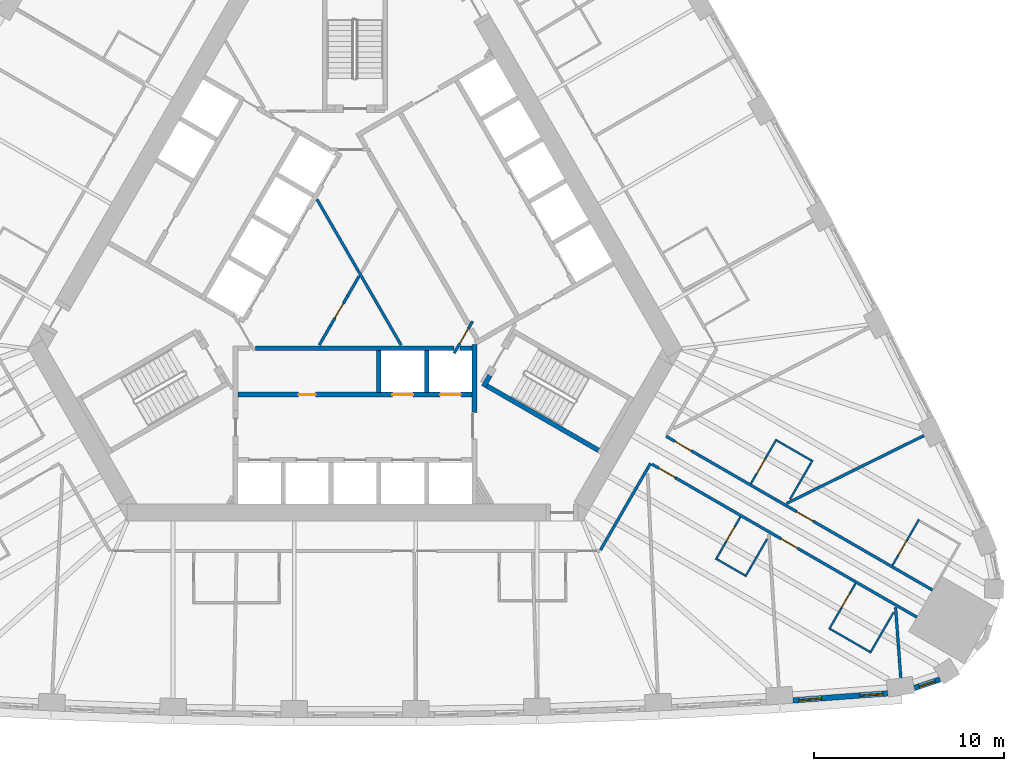
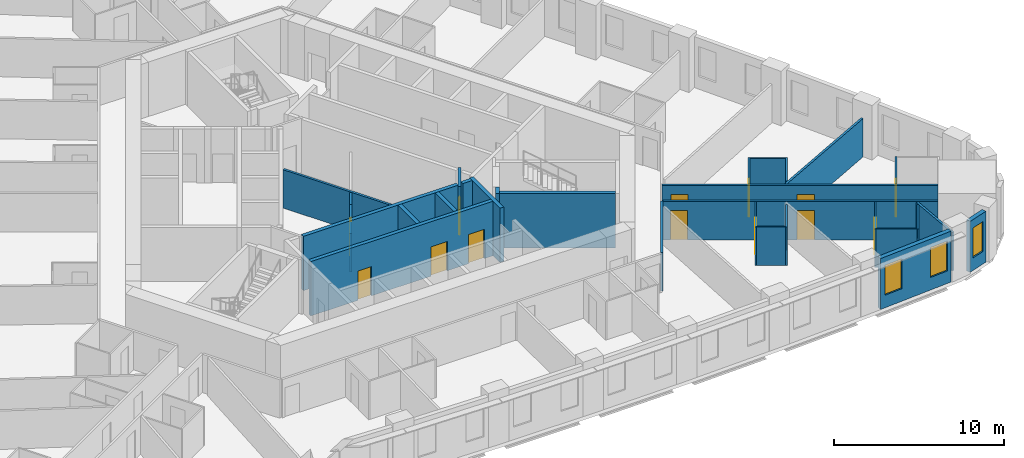
# One storey, part 7 of 13: 30 walls, 13 doors, 3 windows, 16 openings.
"""IFC4 building model written with IfcOpenShell, lengths in metres."""

import ifcopenshell
import ifcopenshell.guid

model = None  # the IFC model being written
_history = None  # IfcOwnerHistory: only IFC2X3 demands one
_inside = {}  # id of a spatial element -> (the spatial element, [elements in it])
_under = {}  # id of a project, library or spatial element -> (it, [spatial elements below it])
_declared = {}  # id of a project -> (the project, [libraries it declares])
_typed = {}  # id of a type object -> (the type object, [elements of that type])
_made_of = {}  # id of a material, layer set ... -> (it, [elements and type objects made of it])


def new_model(schema):
    """Start an empty IFC model of exactly this schema.

    Asked for "IFC4X3", IfcOpenShell would pick the latest addendum, in which some entities
    have other attributes; the version numbers below select the first issue.
    IFC2X3 requires an IfcOwnerHistory on every rooted entity: one is made here for all.
    """
    global model, _history
    if schema == "IFC4X3":
        model = ifcopenshell.file(schema_version=(4, 3, 0, 0))
    else:
        model = ifcopenshell.file(schema=schema)
    _inside.clear()
    _under.clear()
    _declared.clear()
    _typed.clear()
    _made_of.clear()
    _history = None
    if model.schema == "IFC2X3":
        org = make("IfcOrganization", Name="unknown")
        user = make(
            "IfcPersonAndOrganization",
            ThePerson=make("IfcPerson", FamilyName="unknown"),
            TheOrganization=org,
        )
        app = make(
            "IfcApplication",
            ApplicationDeveloper=org,
            Version="unknown",
            ApplicationFullName="unknown",
            ApplicationIdentifier="unknown",
        )
        _history = make(
            "IfcOwnerHistory",
            OwningUser=user,
            OwningApplication=app,
            ChangeAction="ADDED",
            CreationDate=0,
        )
    return model


def make(cls, **values):
    """One entity of the class cls with the attributes given. An attribute that is None is left unset."""
    return model.create_entity(
        cls, **{name: value for name, value in values.items() if value is not None}
    )


def rooted(cls, **values):
    """An entity with a GlobalId (a new one), such as an element, a storey or a relation."""
    return make(cls, GlobalId=ifcopenshell.guid.new(), OwnerHistory=_history, **values)


def si_unit(unit_type, name, prefix=None):
    """IfcSIUnit, for example si_unit("LENGTHUNIT", "METRE", prefix="MILLI")."""
    return make("IfcSIUnit", UnitType=unit_type, Prefix=prefix, Name=name)


def assignment(units):
    """IfcUnitAssignment: the units of a project."""
    return None if units is None else make("IfcUnitAssignment", Units=units)


def point(xyz):
    """IfcCartesianPoint."""
    return None if xyz is None else make("IfcCartesianPoint", Coordinates=xyz)


def direction(xyz):
    """IfcDirection."""
    return None if xyz is None else make("IfcDirection", DirectionRatios=xyz)


def frame(location, z_axis=None, x_axis=None):
    """IfcAxis2Placement3D, a coordinate frame: its origin and axes. An axis left out is left unset."""
    return make(
        "IfcAxis2Placement3D",
        Location=point(location),
        Axis=direction(z_axis),
        RefDirection=direction(x_axis),
    )


def frame_2d(location, x_axis=None):
    """IfcAxis2Placement2D, a coordinate frame in the plane: its origin and x axis."""
    return make(
        "IfcAxis2Placement2D", Location=point(location), RefDirection=direction(x_axis)
    )


def origin():
    """The frame at (0, 0, 0) with its axes left unset."""
    return frame((0.0, 0.0, 0.0))


def place(relative_to, where):
    """IfcLocalPlacement: puts the frame where relative to a parent placement (None: the world)."""
    return make(
        "IfcLocalPlacement", PlacementRelTo=relative_to, RelativePlacement=where
    )


def context(
    kind, dimensions, precision=None, world=None, true_north=None, identifier=None
):
    """IfcGeometricRepresentationContext, for example the 3D "Model" context."""
    return make(
        "IfcGeometricRepresentationContext",
        ContextIdentifier=identifier,
        ContextType=kind,
        CoordinateSpaceDimension=dimensions,
        Precision=precision,
        WorldCoordinateSystem=world,
        TrueNorth=true_north,
    )


def subcontext(parent, identifier, kind, view, scale=None):
    """IfcGeometricRepresentationSubContext, for example "Body" below "Model"."""
    return make(
        "IfcGeometricRepresentationSubContext",
        ContextIdentifier=identifier,
        ContextType=kind,
        ParentContext=parent,
        TargetScale=scale,
        TargetView=view,
    )


def project(units=None, contexts=None):
    """IfcProject with its units and contexts."""
    return rooted(
        "IfcProject",
        Name="project",
        RepresentationContexts=contexts,
        UnitsInContext=assignment(units),
    )


def spatial(cls, under=None, at=None, **own):
    """A site, building, storey or space (cls), placed at a placement, below another one or the project."""
    s = rooted(cls, ObjectPlacement=at, **own)
    if under is not None:
        _under.setdefault(under.id(), (under, []))[1].append(s)
    return s


def profile(cls, at=None, kind="AREA", **sizes):
    """A parametric profile (cls). Its sizes go by their IFC names, for example OverallWidth=200.0."""
    return make(cls, ProfileType=kind, Position=at, **sizes)


def rectangle(**sizes):
    """IfcRectangleProfileDef."""
    return profile("IfcRectangleProfileDef", **sizes)


def extrude(swept, where, along, depth):
    """IfcExtrudedAreaSolid: the profile swept, set in the frame where, extruded along a direction by depth."""
    return make(
        "IfcExtrudedAreaSolid",
        SweptArea=swept,
        Position=where,
        ExtrudedDirection=direction(along),
        Depth=depth,
    )


def shape(context_of_items, identifier, shape_type, items):
    """IfcShapeRepresentation: the items that make up one representation, for example the "Body"."""
    return make(
        "IfcShapeRepresentation",
        ContextOfItems=context_of_items,
        RepresentationIdentifier=identifier,
        RepresentationType=shape_type,
        Items=items,
    )


def material(Name=None, Category=None):
    """IfcMaterial."""
    return make("IfcMaterial", Name=Name, Category=Category)


def layer(
    of_material, thickness, ventilated=None, Name=None, Category=None, Priority=None
):
    """IfcMaterialLayer: one layer of a wall or slab, of a material (None: an air gap)."""
    return make(
        "IfcMaterialLayer",
        Material=of_material,
        LayerThickness=thickness,
        IsVentilated=ventilated,
        Name=Name,
        Category=Category,
        Priority=Priority,
    )


def layer_set(layers, Name=None):
    """IfcMaterialLayerSet."""
    return make("IfcMaterialLayerSet", MaterialLayers=layers, LayerSetName=Name)


def made_of(thing, what):
    """Note that an element or type object is made of a material, layer set ...; save() writes the relation."""
    if what is not None:
        _made_of.setdefault(what.id(), (what, []))[1].append(thing)
    return thing


def type_object(cls, material=None, **own):
    """A type object (cls), such as IfcWallType, which elements share."""
    return made_of(rooted(cls, **own), material)


def element(
    cls,
    number,
    at=None,
    inside=None,
    cuts=None,
    type_object=None,
    material=None,
    context=None,
    identifier="Body",
    shape_type=None,
    held_by="IfcProductDefinitionShape",
    body=None,
    shapes=None,
    **own,
):
    """One element of the class cls, such as IfcWall. Its Tag is "e" and its number.

    at: its placement. inside: the storey or other place that contains it. cuts: it is an
    opening in that element (IfcRelVoidsElement). A single representation is given by context,
    identifier, shape_type and body (its items); several are given by shapes. held_by: the class
    of the entity that holds the representations. save() writes the other relations.
    """
    e = rooted(cls, Tag="e%d" % number, ObjectPlacement=at, **own)
    if body is not None:
        shapes = [shape(context, identifier, shape_type, body)]
    if shapes is not None:
        e.Representation = make(held_by, Representations=shapes)
    if inside is not None:
        _inside.setdefault(inside.id(), (inside, []))[1].append(e)
    if cuts is not None:
        rooted(
            "IfcRelVoidsElement", RelatingBuildingElement=cuts, RelatedOpeningElement=e
        )
    if type_object is not None:
        _typed.setdefault(type_object.id(), (type_object, []))[1].append(e)
    return made_of(e, material)


def fill(opening, filler):
    """IfcRelFillsElement: the door or window that sits in an opening."""
    return rooted(
        "IfcRelFillsElement",
        RelatingOpeningElement=opening,
        RelatedBuildingElement=filler,
    )


def aggregate(whole, parts):
    """IfcRelAggregates: a whole, such as a stair, and the parts it consists of."""
    return rooted("IfcRelAggregates", RelatingObject=whole, RelatedObjects=parts)


def save(model, path):
    """Write the relations noted so far, then the file.

    IfcRelAggregates (storeys below a building ...), IfcRelContainedInSpatialStructure (elements
    in a storey), IfcRelDefinesByType, IfcRelAssociatesMaterial and IfcRelDeclares: one each for
    every whole, place, type object, material and project.
    """
    for whole, parts in _under.values():
        aggregate(whole, parts)
    for where, things in _inside.values():
        rooted(
            "IfcRelContainedInSpatialStructure",
            RelatedElements=things,
            RelatingStructure=where,
        )
    for kind, things in _typed.values():
        rooted("IfcRelDefinesByType", RelatedObjects=things, RelatingType=kind)
    for what, things in _made_of.values():
        rooted("IfcRelAssociatesMaterial", RelatedObjects=things, RelatingMaterial=what)
    for by, libraries in _declared.values():
        rooted("IfcRelDeclares", RelatingContext=by, RelatedDefinitions=libraries)
    model.write(path)


model = new_model("IFC4")

# Units and contexts
model_context = context("Model", 3, precision=1e-05, world=origin(), true_north=direction((0.0, 1.0)))
body_context = subcontext(model_context, "Body", "Model", "MODEL_VIEW")
ifc_project = project(units=[si_unit("LENGTHUNIT", "METRE"), si_unit("AREAUNIT", "SQUARE_METRE"), si_unit("VOLUMEUNIT", "CUBIC_METRE"), si_unit("PLANEANGLEUNIT", "RADIAN"), si_unit("MASSUNIT", "GRAM", prefix="KILO")], contexts=[model_context])

# Site, building, storey
site_placement = place(None, origin())
site = spatial("IfcSite", under=ifc_project, at=site_placement, CompositionType="ELEMENT")
building_placement = place(site_placement, origin())
building = spatial("IfcBuilding", under=site, at=building_placement, Name="Mestral Congress Tower", CompositionType="ELEMENT")
storey_placement = place(building_placement, frame((0.0, 0.0, 51.0)))
storey = spatial("IfcBuildingStorey", under=building, at=storey_placement, Name="L11", CompositionType="ELEMENT", Elevation=51.0)

# Walls
ifc_material_1 = material(Name="Fire-rated board partition")
ifc_layer_1 = layer(ifc_material_1, 0.14990234375)
ifc_layer_set_1 = layer_set([ifc_layer_1], Name="Fire-rated board partition")
wall_type_1 = type_object("IfcWallType", Name="Core partition 150", PredefinedType="PARTITIONING", material=ifc_layer_set_1)
wall_1_placement = place(storey_placement, frame((-1.886962890625, -3.71826171875, 0.0), z_axis=(0.0, 0.0, 1.0), x_axis=(0.500057179532, 0.865992388649, 0.0)))
element("IfcWall", 1, at=wall_1_placement, inside=storey, type_object=wall_type_1, Name="L11 core wall", PredefinedType="PARTITIONING", context=body_context, shape_type="SweptSolid", body=[
    extrude(rectangle(XDim=1.199462890625, YDim=0.14990234375, at=frame_2d((0.599609375, 0.0))), origin(), (0.0, 0.0, 1.0), 2.75),
])
wall_2_placement = place(storey_placement, frame((2.435302734375, -3.71826171875, 0.0), z_axis=(0.0, 0.0, 1.0), x_axis=(-0.499985176046, 0.866033962229, 0.0)))
element("IfcWall", 2, at=wall_2_placement, inside=storey, type_object=wall_type_1, Name="L11 core wall", PredefinedType="PARTITIONING", context=body_context, shape_type="SweptSolid", body=[
    extrude(rectangle(XDim=8.875244140625, YDim=0.14990234375, at=frame_2d((4.4375, 0.0))), origin(), (0.0, 0.0, 1.0), 2.75),
])
wall_3_placement = place(storey_placement, frame((-0.38720703125, -1.12060546875, 0.0), z_axis=(0.0, 0.0, 1.0), x_axis=(0.500057179532, 0.865992388649, 0.0)))
element("IfcWall", 3, at=wall_3_placement, inside=storey, type_object=wall_type_1, Name="L11 core wall", PredefinedType="PARTITIONING", context=body_context, shape_type="SweptSolid", body=[
    extrude(rectangle(XDim=1.199462890625, YDim=0.14990234375, at=frame_2d((0.599609375, 0.0))), origin(), (0.0, 0.0, 1.0), 2.75),
])

# Wall, opening, door
wall_4_placement = place(storey_placement, frame((-1.287109375, -2.679443359375, 0.0), z_axis=(0.0, 0.0, 1.0), x_axis=(0.499961193289, 0.866047807691, 0.0)))
wall_4 = element("IfcWall", 4, at=wall_4_placement, inside=storey, type_object=wall_type_1, Name="L11 door wall", PredefinedType="PARTITIONING", context=body_context, shape_type="SweptSolid", body=[
    extrude(rectangle(XDim=1.800048828125, YDim=0.14990234375, at=frame_2d((0.89990234375, 0.0))), origin(), (0.0, 0.0, 1.0), 2.75),
])
opening_1_placement = place(wall_4_placement, frame((0.449951171875, 0.0, 0.0)))
opening_1 = element("IfcOpeningElement", 5, at=opening_1_placement, cuts=wall_4, Name="Opening SD-HUB2", PredefinedType="OPENING", context=body_context, shape_type="SweptSolid", body=[
    extrude(rectangle(XDim=0.89990234375, YDim=2.10009765625, at=frame_2d((0.449951171875, 1.050048828125))), frame((0.0, 0.0849609375, 0.0), z_axis=(0.0, -1.0, 0.0), x_axis=(1.0, 0.0, 0.0)), (0.0, 0.0, 1.0), 0.169921875),
])
ifc_material_2 = material(Name="Fire-rated steel door set", Category="steel")
door_type_1 = type_object("IfcDoorType", Name="Core door SR 900x2100", OperationType="SINGLE_SWING_LEFT", PredefinedType="DOOR", material=ifc_material_2)
door_1_placement = place(opening_1_placement, origin())
door_1 = element("IfcDoor", 6, at=door_1_placement, inside=storey, type_object=door_type_1, Name="Door SD-HUB2", OperationType="SINGLE_SWING_LEFT", OverallHeight=2.10009765625, OverallWidth=0.89990234375, PredefinedType="DOOR", context=body_context, shape_type="SweptSolid", body=[
    extrude(rectangle(XDim=0.89990234375, YDim=2.10009765625, at=frame_2d((0.449951171875, 1.050048828125))), frame((0.0, 0.02490234375, 0.0), z_axis=(0.0, -1.0, 0.0), x_axis=(1.0, 0.0, 0.0)), (0.0, 0.0, 1.0), 0.050048828125),
])
fill(opening_1, door_1)

# Wall, openings, windows
ifc_material_3 = material(Name="Precast concrete C40/50 with limestone facing", Category="masonry")
ifc_layer_2 = layer(ifc_material_3, 0.2900390625)
ifc_layer_set_2 = layer_set([ifc_layer_2], Name="Precast concrete C40/50 with limestone facing")
wall_type_2 = type_object("IfcWallType", Name="Facade stone wall 290", PredefinedType="SOLIDWALL", material=ifc_layer_set_2)
wall_5_placement = place(storey_placement, frame((23.10595703125, -22.4560546875, 0.0), z_axis=(0.0, 0.0, 1.0), x_axis=(0.997266290399, 0.073891447643, 0.0)))
wall_5 = element("IfcWall", 7, at=wall_5_placement, inside=storey, type_object=wall_type_2, Name="Facade wall F0-08", PredefinedType="SOLIDWALL", context=body_context, shape_type="SweptSolid", body=[
    extrude(rectangle(XDim=5.005615234375, YDim=0.2900390625, at=frame_2d((2.5029296875, 0.0))), origin(), (0.0, 0.0, 1.0), 3.64990234375),
])
opening_2_placement = place(wall_5_placement, frame((0.31005859375, 0.0, 0.89990234375)))
opening_2 = element("IfcOpeningElement", 8, at=opening_2_placement, cuts=wall_5, Name="Opening W1", PredefinedType="OPENING", context=body_context, shape_type="SweptSolid", body=[
    extrude(rectangle(XDim=1.199951171875, YDim=2.14990234375, at=frame_2d((0.60009765625, 1.074951171875))), frame((0.0, 0.155029296875, 0.0), z_axis=(0.0, -1.0, 0.0), x_axis=(1.0, 0.0, 0.0)), (0.0, 0.0, 1.0), 0.31005859375),
])
opening_3_placement = place(wall_5_placement, frame((3.540283203125, 0.0, 0.89990234375)))
opening_3 = element("IfcOpeningElement", 9, at=opening_3_placement, cuts=wall_5, Name="Opening W1", PredefinedType="OPENING", context=body_context, shape_type="SweptSolid", body=[
    extrude(rectangle(XDim=1.199951171875, YDim=2.14990234375, at=frame_2d((0.60009765625, 1.074951171875))), frame((0.0, 0.155029296875, 0.0), z_axis=(0.0, -1.0, 0.0), x_axis=(1.0, 0.0, 0.0)), (0.0, 0.0, 1.0), 0.31005859375),
])
ifc_material_4 = material(Name="Clear low-emissivity double glazing", Category="glass")
window_type_1 = type_object("IfcWindowType", Name="Facade punched window 1200 x 2150 sill 900", PartitioningType="DOUBLE_PANEL_VERTICAL", PredefinedType="WINDOW", material=ifc_material_4)
window_1_placement = place(opening_2_placement, origin())
window_1 = element("IfcWindow", 10, at=window_1_placement, inside=storey, type_object=window_type_1, Name="Window F0-08a", OverallHeight=2.14990234375, OverallWidth=1.199951171875, PartitioningType="DOUBLE_PANEL_VERTICAL", PredefinedType="WINDOW", context=body_context, shape_type="SweptSolid", body=[
    extrude(rectangle(XDim=1.199951171875, YDim=2.14990234375, at=frame_2d((0.60009765625, 1.074951171875))), frame((0.0, 0.01513671875, 0.0), z_axis=(0.0, -1.0, 0.0), x_axis=(1.0, 0.0, 0.0)), (0.0, 0.0, 1.0), 0.06005859375),
])
fill(opening_2, window_1)
window_2_placement = place(opening_3_placement, origin())
window_2 = element("IfcWindow", 11, at=window_2_placement, inside=storey, type_object=window_type_1, Name="Window F0-08b", OverallHeight=2.14990234375, OverallWidth=1.199951171875, PartitioningType="DOUBLE_PANEL_VERTICAL", PredefinedType="WINDOW", context=body_context, shape_type="SweptSolid", body=[
    extrude(rectangle(XDim=1.199951171875, YDim=2.14990234375, at=frame_2d((0.60009765625, 1.074951171875))), frame((0.0, 0.01513671875, 0.0), z_axis=(0.0, -1.0, 0.0), x_axis=(1.0, 0.0, 0.0)), (0.0, 0.0, 1.0), 0.06005859375),
])
fill(opening_3, window_2)

# Wall, opening, window
wall_6_placement = place(storey_placement, frame((29.51171875, -21.80224609375, 0.0), z_axis=(0.0, 0.0, 1.0), x_axis=(0.947903891592, 0.318556450734, 0.0)))
wall_6 = element("IfcWall", 12, at=wall_6_placement, inside=storey, type_object=wall_type_2, Name="Facade wall K0-0", PredefinedType="SOLIDWALL", context=body_context, shape_type="SweptSolid", body=[
    extrude(rectangle(XDim=1.414794921875, YDim=0.2900390625, at=frame_2d((0.70751953125, 0.0))), origin(), (0.0, 0.0, 1.0), 3.64990234375),
])
opening_4_placement = place(wall_6_placement, frame((0.25732421875, 0.0, 0.89990234375)))
opening_4 = element("IfcOpeningElement", 13, at=opening_4_placement, cuts=wall_6, Name="Opening W3", PredefinedType="OPENING", context=body_context, shape_type="SweptSolid", body=[
    extrude(rectangle(XDim=0.89990234375, YDim=2.14990234375, at=frame_2d((0.449951171875, 1.074951171875))), frame((0.0, 0.155029296875, 0.0), z_axis=(0.0, -1.0, 0.0), x_axis=(1.0, 0.0, 0.0)), (0.0, 0.0, 1.0), 0.31005859375),
])
window_type_2 = type_object("IfcWindowType", Name="Facade punched window 900 x 2150 sill 900", PartitioningType="SINGLE_PANEL", PredefinedType="WINDOW", material=ifc_material_4)
window_3_placement = place(opening_4_placement, origin())
window_3 = element("IfcWindow", 14, at=window_3_placement, inside=storey, type_object=window_type_2, Name="Window K0-0", OverallHeight=2.14990234375, OverallWidth=0.89990234375, PartitioningType="SINGLE_PANEL", PredefinedType="WINDOW", context=body_context, shape_type="SweptSolid", body=[
    extrude(rectangle(XDim=0.89990234375, YDim=2.14990234375, at=frame_2d((0.449951171875, 1.074951171875))), frame((0.0, 0.01513671875, 0.0), z_axis=(0.0, -1.0, 0.0), x_axis=(1.0, 0.0, 0.0)), (0.0, 0.0, 1.0), 0.06005859375),
])
fill(opening_4, window_3)

# Wall, opening, door
ifc_material_5 = material(Name="Gypsum board partition on metal studs with mineral wool", Category="composite")
ifc_layer_3 = layer(ifc_material_5, 0.10009765625)
ifc_layer_set_3 = layer_set([ifc_layer_3], Name="Gypsum board partition on metal studs with mineral wool")
wall_type_3 = type_object("IfcWallType", Name="Hotel partition wall 100", PredefinedType="PARTITIONING", material=ifc_layer_set_3)
wall_7_placement = place(storey_placement, frame((20.330078125, -12.77685546875, 0.0), z_axis=(0.0, 0.0, 1.0), x_axis=(-0.500006934395, -0.866021400173, 0.0)))
wall_7 = element("IfcWall", 15, at=wall_7_placement, inside=storey, type_object=wall_type_3, Name="L11-h-pod07a", PredefinedType="PARTITIONING", context=body_context, shape_type="SweptSolid", body=[
    extrude(rectangle(XDim=2.60009765625, YDim=0.10009765625, at=frame_2d((1.300048828125, 0.0))), origin(), (0.0, 0.0, 1.0), 2.75),
])
opening_5_placement = place(wall_7_placement, frame((0.60009765625, 0.0, 0.0)))
opening_5 = element("IfcOpeningElement", 16, at=opening_5_placement, cuts=wall_7, Name="Opening H03-014", PredefinedType="OPENING", context=body_context, shape_type="SweptSolid", body=[
    extrude(rectangle(XDim=0.89990234375, YDim=2.10009765625, at=frame_2d((0.449951171875, 1.050048828125))), frame((0.0, 0.06005859375, 0.0), z_axis=(0.0, -1.0, 0.0), x_axis=(1.0, 0.0, 0.0)), (0.0, 0.0, 1.0), 0.1201171875),
])
ifc_material_6 = material(Name="Timber veneer door leaf in timber frame", Category="wood")
door_type_2 = type_object("IfcDoorType", Name="Bathroom door 900", OperationType="SINGLE_SWING_LEFT", PredefinedType="DOOR", material=ifc_material_6)
door_2_placement = place(opening_5_placement, origin())
door_2 = element("IfcDoor", 17, at=door_2_placement, inside=storey, type_object=door_type_2, Name="L11-h-d014", OperationType="SINGLE_SWING_LEFT", OverallHeight=2.10009765625, OverallWidth=0.89990234375, PredefinedType="DOOR", context=body_context, shape_type="SweptSolid", body=[
    extrude(rectangle(XDim=0.89990234375, YDim=2.10009765625, at=frame_2d((0.449951171875, 1.050048828125))), frame((0.0, 0.02490234375, 0.0), z_axis=(0.0, -1.0, 0.0), x_axis=(1.0, 0.0, 0.0)), (0.0, 0.0, 1.0), 0.050048828125),
])
fill(opening_5, door_2)

# Walls
wall_8_placement = place(storey_placement, frame((19.098388671875, -15.01025390625, 0.0), z_axis=(0.0, 0.0, 1.0), x_axis=(0.86605165483, -0.499954529098, 0.0)))
element("IfcWall", 18, at=wall_8_placement, inside=storey, type_object=wall_type_3, Name="L11-h-pod07b", PredefinedType="PARTITIONING", context=body_context, shape_type="SweptSolid", body=[
    extrude(rectangle(XDim=1.699951171875, YDim=0.10009765625, at=frame_2d((0.85009765625, 0.0))), origin(), (0.0, 0.0, 1.0), 2.75),
])
wall_9_placement = place(storey_placement, frame((21.73388671875, -13.9453125, 0.0), z_axis=(0.0, 0.0, 1.0), x_axis=(-0.500014693593, -0.866016920268, 0.0)))
element("IfcWall", 19, at=wall_9_placement, inside=storey, type_object=wall_type_3, Name="L11-h-pod07c", PredefinedType="PARTITIONING", context=body_context, shape_type="SweptSolid", body=[
    extrude(rectangle(XDim=2.2900390625, YDim=0.10009765625, at=frame_2d((1.14501953125, 0.0))), origin(), (0.0, 0.0, 1.0), 2.75),
])

# Wall, opening, door
wall_10_placement = place(storey_placement, frame((26.40478515625, -16.2841796875, 0.0), z_axis=(0.0, 0.0, 1.0), x_axis=(-0.49998411664, -0.866034573852, 0.0)))
wall_10 = element("IfcWall", 20, at=wall_10_placement, inside=storey, type_object=wall_type_3, Name="L11-h-pod08a", PredefinedType="PARTITIONING", context=body_context, shape_type="SweptSolid", body=[
    extrude(rectangle(XDim=2.7998046875, YDim=0.10009765625, at=frame_2d((1.39990234375, 0.0))), origin(), (0.0, 0.0, 1.0), 2.75),
])
opening_6_placement = place(wall_10_placement, frame((0.60009765625, 0.0, 0.0)))
opening_6 = element("IfcOpeningElement", 21, at=opening_6_placement, cuts=wall_10, Name="Opening H03-016", PredefinedType="OPENING", context=body_context, shape_type="SweptSolid", body=[
    extrude(rectangle(XDim=0.89990234375, YDim=2.10009765625, at=frame_2d((0.449951171875, 1.050048828125))), frame((0.0, 0.06005859375, 0.0), z_axis=(0.0, -1.0, 0.0), x_axis=(1.0, 0.0, 0.0)), (0.0, 0.0, 1.0), 0.1201171875),
])
door_3_placement = place(opening_6_placement, origin())
door_3 = element("IfcDoor", 22, at=door_3_placement, inside=storey, type_object=door_type_2, Name="L11-h-d016", OperationType="SINGLE_SWING_LEFT", OverallHeight=2.10009765625, OverallWidth=0.89990234375, PredefinedType="DOOR", context=body_context, shape_type="SweptSolid", body=[
    extrude(rectangle(XDim=0.89990234375, YDim=2.10009765625, at=frame_2d((0.449951171875, 1.050048828125))), frame((0.0, 0.02490234375, 0.0), z_axis=(0.0, -1.0, 0.0), x_axis=(1.0, 0.0, 0.0)), (0.0, 0.0, 1.0), 0.050048828125),
])
fill(opening_6, door_3)

# Walls
wall_11_placement = place(storey_placement, frame((25.0732421875, -18.690673828125, 0.0), z_axis=(0.0, 0.0, 1.0), x_axis=(0.866024647952, -0.500001309137, 0.0)))
element("IfcWall", 23, at=wall_11_placement, inside=storey, type_object=wall_type_3, Name="L11-h-pod08b", PredefinedType="PARTITIONING", context=body_context, shape_type="SweptSolid", body=[
    extrude(rectangle(XDim=2.39990234375, YDim=0.10009765625, at=frame_2d((1.199951171875, 0.0))), origin(), (0.0, 0.0, 1.0), 2.75),
])
wall_12_placement = place(storey_placement, frame((28.414794921875, -17.802490234375, 0.0), z_axis=(0.0, 0.0, 1.0), x_axis=(-0.499945955465, -0.866056604163, 0.0)))
element("IfcWall", 24, at=wall_12_placement, inside=storey, type_object=wall_type_3, Name="L11-h-pod08c", PredefinedType="PARTITIONING", context=body_context, shape_type="SweptSolid", body=[
    extrude(rectangle(XDim=2.489990234375, YDim=0.10009765625, at=frame_2d((1.2451171875, 0.0))), origin(), (0.0, 0.0, 1.0), 2.75),
])

# Wall, opening, door
wall_13_placement = place(storey_placement, frame((29.75244140625, -12.9052734375, 0.0), z_axis=(0.0, 0.0, 1.0), x_axis=(-0.500049511043, -0.865996816683, 0.0)))
wall_13 = element("IfcWall", 25, at=wall_13_placement, inside=storey, type_object=wall_type_3, Name="L11-h-pod09a", PredefinedType="PARTITIONING", context=body_context, shape_type="SweptSolid", body=[
    extrude(rectangle(XDim=2.800048828125, YDim=0.10009765625, at=frame_2d((1.39990234375, 0.0))), origin(), (0.0, 0.0, 1.0), 2.75),
])
opening_7_placement = place(wall_13_placement, frame((1.300048828125, 0.0, 0.0)))
opening_7 = element("IfcOpeningElement", 26, at=opening_7_placement, cuts=wall_13, Name="Opening H03-018", PredefinedType="OPENING", context=body_context, shape_type="SweptSolid", body=[
    extrude(rectangle(XDim=0.89990234375, YDim=2.10009765625, at=frame_2d((0.449951171875, 1.050048828125))), frame((0.0, 0.06005859375, 0.0), z_axis=(0.0, -1.0, 0.0), x_axis=(1.0, 0.0, 0.0)), (0.0, 0.0, 1.0), 0.1201171875),
])
door_4_placement = place(opening_7_placement, origin())
door_4 = element("IfcDoor", 27, at=door_4_placement, inside=storey, type_object=door_type_2, Name="L11-h-d018", OperationType="SINGLE_SWING_RIGHT", OverallHeight=2.10009765625, OverallWidth=0.89990234375, PredefinedType="DOOR", context=body_context, shape_type="SweptSolid", body=[
    extrude(rectangle(XDim=0.89990234375, YDim=2.10009765625, at=frame_2d((0.449951171875, 1.050048828125))), frame((0.0, 0.02490234375, 0.0), z_axis=(0.0, -1.0, 0.0), x_axis=(1.0, 0.0, 0.0)), (0.0, 0.0, 1.0), 0.050048828125),
])
fill(opening_7, door_4)

wall_14_placement = place(storey_placement, frame((22.23388671875, -8.6796875, 0.0), z_axis=(0.0, 0.0, 1.0), x_axis=(-0.50000943426, -0.866019956843, 0.0)))
wall_14 = element("IfcWall", 28, at=wall_14_placement, inside=storey, type_object=wall_type_3, Name="L11-h-pod10a", PredefinedType="PARTITIONING", context=body_context, shape_type="SweptSolid", body=[
    extrude(rectangle(XDim=2.7001953125, YDim=0.10009765625, at=frame_2d((1.35009765625, 0.0))), origin(), (0.0, 0.0, 1.0), 2.75),
])
opening_8_placement = place(wall_14_placement, frame((1.199951171875, 0.0, 0.0)))
opening_8 = element("IfcOpeningElement", 29, at=opening_8_placement, cuts=wall_14, Name="Opening H03-020", PredefinedType="OPENING", context=body_context, shape_type="SweptSolid", body=[
    extrude(rectangle(XDim=0.89990234375, YDim=2.10009765625, at=frame_2d((0.449951171875, 1.050048828125))), frame((0.0, 0.06005859375, 0.0), z_axis=(0.0, -1.0, 0.0), x_axis=(1.0, 0.0, 0.0)), (0.0, 0.0, 1.0), 0.1201171875),
])
door_5_placement = place(opening_8_placement, origin())
door_5 = element("IfcDoor", 30, at=door_5_placement, inside=storey, type_object=door_type_2, Name="L11-h-d020", OperationType="SINGLE_SWING_LEFT", OverallHeight=2.10009765625, OverallWidth=0.89990234375, PredefinedType="DOOR", context=body_context, shape_type="SweptSolid", body=[
    extrude(rectangle(XDim=0.89990234375, YDim=2.10009765625, at=frame_2d((0.449951171875, 1.050048828125))), frame((0.0, 0.02490234375, 0.0), z_axis=(0.0, -1.0, 0.0), x_axis=(1.0, 0.0, 0.0)), (0.0, 0.0, 1.0), 0.050048828125),
])
fill(opening_8, door_5)

# Walls
wall_15_placement = place(storey_placement, frame((22.252197265625, -8.748046875, 0.0), z_axis=(0.0, 0.0, 1.0), x_axis=(0.866009402589, -0.500027713859, 0.0)))
element("IfcWall", 31, at=wall_15_placement, inside=storey, type_object=wall_type_3, Name="L11-h-pod10b", PredefinedType="PARTITIONING", context=body_context, shape_type="SweptSolid", body=[
    extrude(rectangle(XDim=2.10009765625, YDim=0.10009765625, at=frame_2d((1.050048828125, 0.0))), origin(), (0.0, 0.0, 1.0), 2.75),
])
wall_16_placement = place(storey_placement, frame((22.944091796875, -11.849609375, 0.0), z_axis=(0.0, 0.0, 1.0), x_axis=(0.499940577336, 0.866059708757, 0.0)))
element("IfcWall", 32, at=wall_16_placement, inside=storey, type_object=wall_type_3, Name="L11-h-pod10c", PredefinedType="PARTITIONING", context=body_context, shape_type="SweptSolid", body=[
    extrude(rectangle(XDim=2.389892578125, YDim=0.10009765625, at=frame_2d((1.19482421875, 0.0))), origin(), (0.0, 0.0, 1.0), 2.75),
])

# Wall, openings, doors
ifc_layer_4 = layer(ifc_material_5, 0.14990234375)
ifc_layer_set_4 = layer_set([ifc_layer_4], Name="Gypsum board partition on metal studs with mineral wool")
wall_type_4 = type_object("IfcWallType", Name="Hotel partition wall 150", PredefinedType="PARTITIONING", material=ifc_layer_set_4)
wall_17_placement = place(storey_placement, frame((16.412353515625, -8.52294921875, 0.0), z_axis=(0.0, 0.0, 1.0), x_axis=(0.866022197818, -0.500005552856, 0.0)))
wall_17 = element("IfcWall", 33, at=wall_17_placement, inside=storey, type_object=wall_type_4, Name="L11-h-cw01", PredefinedType="PARTITIONING", context=body_context, shape_type="SweptSolid", body=[
    extrude(rectangle(XDim=16.223876953125, YDim=0.14990234375, at=frame_2d((8.11181640625, 0.0))), origin(), (0.0, 0.0, 1.0), 2.75),
])
opening_9_placement = place(wall_17_placement, frame((7.94921875, 0.0, 0.0)))
opening_9 = element("IfcOpeningElement", 34, at=opening_9_placement, cuts=wall_17, Name="Opening H03-017", PredefinedType="OPENING", context=body_context, shape_type="SweptSolid", body=[
    extrude(rectangle(XDim=1.0, YDim=2.10009765625, at=frame_2d((0.5, 1.050048828125))), frame((0.0, 0.0849609375, 0.0), z_axis=(0.0, -1.0, 0.0), x_axis=(1.0, 0.0, 0.0)), (0.0, 0.0, 1.0), 0.169921875),
])
opening_10_placement = place(wall_17_placement, frame((0.526123046875, 0.0, 0.0)))
opening_10 = element("IfcOpeningElement", 35, at=opening_10_placement, cuts=wall_17, Name="Opening H03-019", PredefinedType="OPENING", context=body_context, shape_type="SweptSolid", body=[
    extrude(rectangle(XDim=1.0, YDim=2.10009765625, at=frame_2d((0.5, 1.050048828125))), frame((0.0, 0.0849609375, 0.0), z_axis=(0.0, -1.0, 0.0), x_axis=(1.0, 0.0, 0.0)), (0.0, 0.0, 1.0), 0.169921875),
])
ifc_material_7 = material(Name="Timber veneer door leaf in metal frame", Category="wood")
door_type_3 = type_object("IfcDoorType", Name="Guest room entrance door 1000", OperationType="SINGLE_SWING_LEFT", PredefinedType="DOOR", material=ifc_material_7)
door_6_placement = place(opening_9_placement, origin())
door_6 = element("IfcDoor", 36, at=door_6_placement, inside=storey, type_object=door_type_3, Name="L11-h-d017", OperationType="SINGLE_SWING_LEFT", OverallHeight=2.10009765625, OverallWidth=1.0, PredefinedType="DOOR", context=body_context, shape_type="SweptSolid", body=[
    extrude(rectangle(XDim=1.0, YDim=2.10009765625, at=frame_2d((0.5, 1.050048828125))), frame((0.0, 0.02490234375, 0.0), z_axis=(0.0, -1.0, 0.0), x_axis=(1.0, 0.0, 0.0)), (0.0, 0.0, 1.0), 0.050048828125),
])
fill(opening_9, door_6)
door_7_placement = place(opening_10_placement, origin())
door_7 = element("IfcDoor", 37, at=door_7_placement, inside=storey, type_object=door_type_3, Name="L11-h-d019", OperationType="SINGLE_SWING_LEFT", OverallHeight=2.10009765625, OverallWidth=1.0, PredefinedType="DOOR", context=body_context, shape_type="SweptSolid", body=[
    extrude(rectangle(XDim=1.0, YDim=2.10009765625, at=frame_2d((0.5, 1.050048828125))), frame((0.0, 0.02490234375, 0.0), z_axis=(0.0, -1.0, 0.0), x_axis=(1.0, 0.0, 0.0)), (0.0, 0.0, 1.0), 0.050048828125),
])
fill(opening_10, door_7)

# Wall
wall_18_placement = place(storey_placement, frame((15.58740234375, -9.951904296875, 0.0), z_axis=(0.0, 0.0, 1.0), x_axis=(-0.500016618951, -0.866015808616, 0.0)))
element("IfcWall", 38, at=wall_18_placement, inside=storey, type_object=wall_type_4, Name="L11-h-cw14", PredefinedType="PARTITIONING", context=body_context, shape_type="SweptSolid", body=[
    extrude(rectangle(XDim=5.268310546875, YDim=0.14990234375, at=frame_2d((2.63427734375, 0.0))), origin(), (0.0, 0.0, 1.0), 2.75),
])

# Wall, openings, doors
wall_19_placement = place(storey_placement, frame((29.6376953125, -18.06396484375, 0.0), z_axis=(0.0, 0.0, 1.0), x_axis=(-0.866026175601, 0.499998663172, 0.0)))
wall_19 = element("IfcWall", 39, at=wall_19_placement, inside=storey, type_object=wall_type_4, Name="L11-h-cw15", PredefinedType="PARTITIONING", context=body_context, shape_type="SweptSolid", body=[
    extrude(rectangle(XDim=16.14404296875, YDim=0.14990234375, at=frame_2d((8.072021484375, 0.0))), origin(), (0.0, 0.0, 1.0), 2.75),
])
opening_11_placement = place(wall_19_placement, frame((14.7138671875, 0.0, 0.0)))
opening_11 = element("IfcOpeningElement", 40, at=opening_11_placement, cuts=wall_19, Name="Opening H03-013", PredefinedType="OPENING", context=body_context, shape_type="SweptSolid", body=[
    extrude(rectangle(XDim=1.0, YDim=2.10009765625, at=frame_2d((0.5, 1.050048828125))), frame((0.0, 0.0849609375, 0.0), z_axis=(0.0, -1.0, 0.0), x_axis=(1.0, 0.0, 0.0)), (0.0, 0.0, 1.0), 0.169921875),
])
opening_12_placement = place(wall_19_placement, frame((7.275146484375, 0.0, 0.0)))
opening_12 = element("IfcOpeningElement", 41, at=opening_12_placement, cuts=wall_19, Name="Opening H03-015", PredefinedType="OPENING", context=body_context, shape_type="SweptSolid", body=[
    extrude(rectangle(XDim=1.0, YDim=2.10009765625, at=frame_2d((0.5, 1.050048828125))), frame((0.0, 0.0849609375, 0.0), z_axis=(0.0, -1.0, 0.0), x_axis=(1.0, 0.0, 0.0)), (0.0, 0.0, 1.0), 0.169921875),
])
door_8_placement = place(opening_11_placement, origin())
door_8 = element("IfcDoor", 42, at=door_8_placement, inside=storey, type_object=door_type_3, Name="L11-h-d013", OperationType="SINGLE_SWING_RIGHT", OverallHeight=2.10009765625, OverallWidth=1.0, PredefinedType="DOOR", context=body_context, shape_type="SweptSolid", body=[
    extrude(rectangle(XDim=1.0, YDim=2.10009765625, at=frame_2d((0.5, 1.050048828125))), frame((0.0, 0.02490234375, 0.0), z_axis=(0.0, -1.0, 0.0), x_axis=(1.0, 0.0, 0.0)), (0.0, 0.0, 1.0), 0.050048828125),
])
fill(opening_11, door_8)
door_9_placement = place(opening_12_placement, origin())
door_9 = element("IfcDoor", 43, at=door_9_placement, inside=storey, type_object=door_type_3, Name="L11-h-d015", OperationType="SINGLE_SWING_RIGHT", OverallHeight=2.10009765625, OverallWidth=1.0, PredefinedType="DOOR", context=body_context, shape_type="SweptSolid", body=[
    extrude(rectangle(XDim=1.0, YDim=2.10009765625, at=frame_2d((0.5, 1.050048828125))), frame((0.0, 0.02490234375, 0.0), z_axis=(0.0, -1.0, 0.0), x_axis=(1.0, 0.0, 0.0)), (0.0, 0.0, 1.0), 0.050048828125),
])
fill(opening_12, door_9)

# Walls
wall_20_placement = place(storey_placement, frame((30.017578125, -8.48291015625, 0.0), z_axis=(0.0, 0.0, 1.0), x_axis=(-0.896544505264, -0.44295366584, 0.0)))
element("IfcWall", 44, at=wall_20_placement, inside=storey, type_object=wall_type_4, Name="L11-h-pw26", PredefinedType="PARTITIONING", context=body_context, shape_type="SweptSolid", body=[
    extrude(rectangle(XDim=8.078857421875, YDim=0.14990234375, at=frame_2d((4.03955078125, 0.0))), origin(), (0.0, 0.0, 1.0), 2.75),
])
wall_21_placement = place(storey_placement, frame((28.78955078125, -21.272705078125, 0.0), z_axis=(0.0, 0.0, 1.0), x_axis=(-0.07382592098, 0.997271143366, 0.0)))
element("IfcWall", 45, at=wall_21_placement, inside=storey, type_object=wall_type_4, Name="L11-h-pw27", PredefinedType="PARTITIONING", context=body_context, shape_type="SweptSolid", body=[
    extrude(rectangle(XDim=3.733642578125, YDim=0.14990234375, at=frame_2d((1.86669921875, 0.0))), origin(), (0.0, 0.0, 1.0), 2.75),
])
ifc_material_8 = material(Name="Concrete C60/75", Category="concrete")
ifc_layer_5 = layer(ifc_material_8, 0.25)
ifc_layer_set_5 = layer_set([ifc_layer_5], Name="Concrete C60/75")
wall_type_5 = type_object("IfcWallType", Name="Shaft wall RC 250", PredefinedType="SOLIDWALL", material=ifc_layer_set_5)
wall_22_placement = place(storey_placement, frame((-5.25927734375, -3.875, 0.0), z_axis=(0.0, 0.0, 1.0), x_axis=(1.0, 0.0, 0.0)))
element("IfcWall", 46, at=wall_22_placement, inside=storey, type_object=wall_type_5, Name="L11 core wall", PredefinedType="SOLIDWALL", context=body_context, shape_type="SweptSolid", body=[
    extrude(rectangle(XDim=10.488525390625, YDim=0.25, at=frame_2d((5.244140625, 0.0))), origin(), (0.0, 0.0, 1.0), 3.89990234375),
])
for number, where, z_axis, x_axis, name in (
    (47, (3.780029296875, -4.0, 0.0), (0.0, 0.0, 1.0), (0.0, -1.0, 0.0), "L11 core wall"),
    (48, (1.260009765625, -4.0, 0.0), (0.0, 0.0, 1.0), (0.0, -1.0, 0.0), "L11 core wall"),
):
    element("IfcWall", number, at=place(storey_placement, frame(where, z_axis=z_axis, x_axis=x_axis)), inside=storey, type_object=wall_type_5, Name=name, PredefinedType="SOLIDWALL", context=body_context, shape_type="SweptSolid", body=[
        extrude(rectangle(XDim=2.199951171875, YDim=0.25, at=frame_2d((1.10009765625, 0.0))), origin(), (0.0, 0.0, 1.0), 3.89990234375),
    ])
wall_23_placement = place(storey_placement, frame((6.300048828125, -7.27001953125, 0.0), z_axis=(0.0, 0.0, 1.0), x_axis=(0.0, 1.0, 0.0)))
element("IfcWall", 49, at=wall_23_placement, inside=storey, type_object=wall_type_5, Name="L11 core wall", PredefinedType="SOLIDWALL", context=body_context, shape_type="SweptSolid", body=[
    extrude(rectangle(XDim=3.586181640625, YDim=0.25, at=frame_2d((1.79296875, 0.0))), origin(), (0.0, 0.0, 1.0), 3.89990234375),
])
wall_24_placement = place(storey_placement, frame((5.538330078125, -3.875, 0.0), z_axis=(0.0, 0.0, 1.0), x_axis=(1.0, 0.0, 0.0)))
element("IfcWall", 50, at=wall_24_placement, inside=storey, type_object=wall_type_5, Name="L11 core wall", PredefinedType="SOLIDWALL", context=body_context, shape_type="SweptSolid", body=[
    extrude(rectangle(XDim=0.63671875, YDim=0.25, at=frame_2d((0.318359375, 0.0))), origin(), (0.0, 0.0, 1.0), 3.89990234375),
])

# Wall, openings, doors
wall_25_placement = place(storey_placement, frame((-6.175048828125, -6.324951171875, 0.0), z_axis=(0.0, 0.0, 1.0), x_axis=(1.0, 0.0, 0.0)))
wall_25 = element("IfcWall", 51, at=wall_25_placement, inside=storey, type_object=wall_type_5, Name="L11 door wall", PredefinedType="SOLIDWALL", context=body_context, shape_type="SweptSolid", body=[
    extrude(rectangle(XDim=12.35009765625, YDim=0.25, at=frame_2d((6.175048828125, 0.0))), origin(), (0.0, 0.0, 1.0), 3.89990234375),
])
opening_13_placement = place(wall_25_placement, frame((3.205078125, 0.0, 0.0)))
opening_13 = element("IfcOpeningElement", 52, at=opening_13_placement, cuts=wall_25, Name="Opening SR-SOB1", PredefinedType="OPENING", context=body_context, shape_type="SweptSolid", body=[
    extrude(rectangle(XDim=0.89990234375, YDim=2.10009765625, at=frame_2d((0.449951171875, 1.050048828125))), frame((0.0, 0.135009765625, 0.0), z_axis=(0.0, -1.0, 0.0), x_axis=(1.0, 0.0, 0.0)), (0.0, 0.0, 1.0), 0.27001953125),
])
opening_14_placement = place(wall_25_placement, frame((8.14501953125, 0.0, 0.0)))
opening_14 = element("IfcOpeningElement", 53, at=opening_14_placement, cuts=wall_25, Name="Opening LD-SOB4", PredefinedType="OPENING", context=body_context, shape_type="SweptSolid", body=[
    extrude(rectangle(XDim=1.10009765625, YDim=2.10009765625, at=frame_2d((0.550048828125, 1.050048828125))), frame((0.0, 0.135009765625, 0.0), z_axis=(0.0, -1.0, 0.0), x_axis=(1.0, 0.0, 0.0)), (0.0, 0.0, 1.0), 0.27001953125),
])
opening_15_placement = place(wall_25_placement, frame((10.6650390625, 0.0, 0.0)))
opening_15 = element("IfcOpeningElement", 54, at=opening_15_placement, cuts=wall_25, Name="Opening LD-SOB5", PredefinedType="OPENING", context=body_context, shape_type="SweptSolid", body=[
    extrude(rectangle(XDim=1.10009765625, YDim=2.10009765625, at=frame_2d((0.550048828125, 1.050048828125))), frame((0.0, 0.135009765625, 0.0), z_axis=(0.0, -1.0, 0.0), x_axis=(1.0, 0.0, 0.0)), (0.0, 0.0, 1.0), 0.27001953125),
])
door_type_4 = type_object("IfcDoorType", Name="Core door LD 1100x2100", OperationType="DOUBLE_DOOR_SLIDING", PredefinedType="DOOR", material=ifc_material_2)
door_10_placement = place(opening_14_placement, origin())
door_10 = element("IfcDoor", 55, at=door_10_placement, inside=storey, type_object=door_type_4, Name="Door LD-SOB4", OperationType="DOUBLE_DOOR_SLIDING", OverallHeight=2.10009765625, OverallWidth=1.10009765625, PredefinedType="DOOR", context=body_context, shape_type="SweptSolid", body=[
    extrude(rectangle(XDim=1.10009765625, YDim=2.10009765625, at=frame_2d((0.550048828125, 1.050048828125))), frame((0.0, 0.02490234375, 0.0), z_axis=(0.0, -1.0, 0.0), x_axis=(1.0, 0.0, 0.0)), (0.0, 0.0, 1.0), 0.050048828125),
])
fill(opening_14, door_10)
door_11_placement = place(opening_15_placement, origin())
door_11 = element("IfcDoor", 56, at=door_11_placement, inside=storey, type_object=door_type_4, Name="Door LD-SOB5", OperationType="DOUBLE_DOOR_SLIDING", OverallHeight=2.10009765625, OverallWidth=1.10009765625, PredefinedType="DOOR", context=body_context, shape_type="SweptSolid", body=[
    extrude(rectangle(XDim=1.10009765625, YDim=2.10009765625, at=frame_2d((0.550048828125, 1.050048828125))), frame((0.0, 0.02490234375, 0.0), z_axis=(0.0, -1.0, 0.0), x_axis=(1.0, 0.0, 0.0)), (0.0, 0.0, 1.0), 0.050048828125),
])
fill(opening_15, door_11)
door_12_placement = place(opening_13_placement, origin())
door_12 = element("IfcDoor", 57, at=door_12_placement, inside=storey, type_object=door_type_1, Name="Door SR-SOB1", OperationType="SINGLE_SWING_LEFT", OverallHeight=2.10009765625, OverallWidth=0.89990234375, PredefinedType="DOOR", context=body_context, shape_type="SweptSolid", body=[
    extrude(rectangle(XDim=0.89990234375, YDim=2.10009765625, at=frame_2d((0.449951171875, 1.050048828125))), frame((0.0, 0.02490234375, 0.0), z_axis=(0.0, -1.0, 0.0), x_axis=(1.0, 0.0, 0.0)), (0.0, 0.0, 1.0), 0.050048828125),
])
fill(opening_13, door_12)

# Wall, opening, door
ifc_layer_6 = layer(ifc_material_8, 0.14990234375)
ifc_layer_set_6 = layer_set([ifc_layer_6], Name="Concrete C60/75")
wall_type_6 = type_object("IfcWallType", Name="Shaft wall RC 250 door-wall 150", PredefinedType="SOLIDWALL", material=ifc_layer_set_6)
wall_26_placement = place(storey_placement, frame((6.203369140625, -2.45556640625, 0.0), z_axis=(0.0, 0.0, 1.0), x_axis=(-0.500043961785, -0.866000020948, 0.0)))
wall_26 = element("IfcWall", 58, at=wall_26_placement, inside=storey, type_object=wall_type_6, Name="L11 door wall", PredefinedType="PARTITIONING", context=body_context, shape_type="SweptSolid", body=[
    extrude(rectangle(XDim=1.949951171875, YDim=0.14990234375, at=frame_2d((0.97509765625, 0.0))), origin(), (0.0, 0.0, 1.0), 3.89990234375),
])
opening_16_placement = place(wall_26_placement, frame((0.449951171875, 0.0, 0.0)))
opening_16 = element("IfcOpeningElement", 59, at=opening_16_placement, cuts=wall_26, Name="Opening CD1-HUB0", PredefinedType="OPENING", context=body_context, shape_type="SweptSolid", body=[
    extrude(rectangle(XDim=0.89990234375, YDim=2.10009765625, at=frame_2d((0.449951171875, 1.050048828125))), frame((0.0, 0.0849609375, 0.0), z_axis=(0.0, -1.0, 0.0), x_axis=(1.0, 0.0, 0.0)), (0.0, 0.0, 1.0), 0.169921875),
])
door_type_5 = type_object("IfcDoorType", Name="Core door CD 900x2100", OperationType="SINGLE_SWING_LEFT", PredefinedType="DOOR", material=ifc_material_2)
door_13_placement = place(opening_16_placement, origin())
door_13 = element("IfcDoor", 60, at=door_13_placement, inside=storey, type_object=door_type_5, Name="Door CD1-HUB0", OperationType="SINGLE_SWING_LEFT", OverallHeight=2.10009765625, OverallWidth=0.89990234375, PredefinedType="DOOR", context=body_context, shape_type="SweptSolid", body=[
    extrude(rectangle(XDim=0.89990234375, YDim=2.10009765625, at=frame_2d((0.449951171875, 1.050048828125))), frame((0.0, 0.02490234375, 0.0), z_axis=(0.0, -1.0, 0.0), x_axis=(1.0, 0.0, 0.0)), (0.0, 0.0, 1.0), 0.050048828125),
])
fill(opening_16, door_13)

# Walls
ifc_layer_7 = layer(ifc_material_8, 0.25)
ifc_layer_set_7 = layer_set([ifc_layer_7], Name="Concrete C60/75")
wall_type_7 = type_object("IfcWallType", Name="Stair wall RC 250", PredefinedType="SOLIDWALL", material=ifc_layer_set_7)
wall_27_placement = place(storey_placement, frame((12.83984375, -9.2607421875, 0.0), z_axis=(0.0, 0.0, 1.0), x_axis=(-0.866013990052, 0.500019768644, 0.0)))
element("IfcWall", 61, at=wall_27_placement, inside=storey, type_object=wall_type_7, Name="L11 core wall", PredefinedType="SOLIDWALL", context=body_context, shape_type="SweptSolid", body=[
    extrude(rectangle(XDim=6.800048828125, YDim=0.25, at=frame_2d((3.39990234375, 0.0))), origin(), (0.0, 0.0, 1.0), 3.89990234375),
])
wall_28_placement = place(storey_placement, frame((6.780029296875, -5.906494140625, 0.0), z_axis=(0.0, 0.0, 1.0), x_axis=(0.500223362819, 0.865896406789, 0.0)))
element("IfcWall", 62, at=wall_28_placement, inside=storey, type_object=wall_type_7, Name="L11 core wall", PredefinedType="SOLIDWALL", context=body_context, shape_type="SweptSolid", body=[
    extrude(rectangle(XDim=0.675048828125, YDim=0.25, at=frame_2d((0.33740234375, 0.0))), origin(), (0.0, 0.0, 1.0), 3.89990234375),
])

save(model, "model.ifc")
